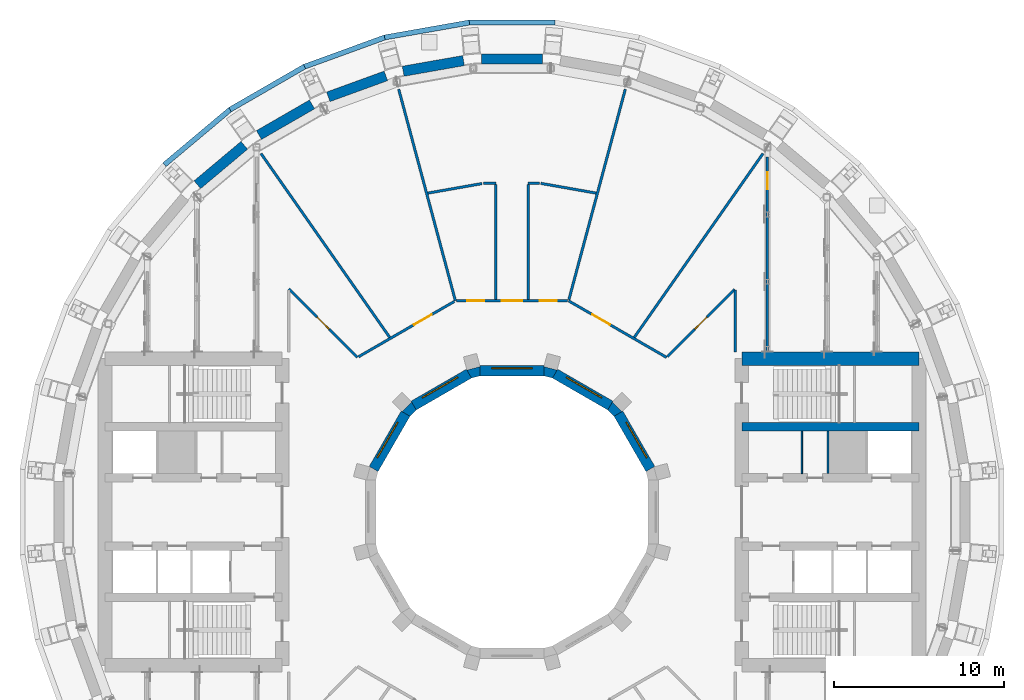
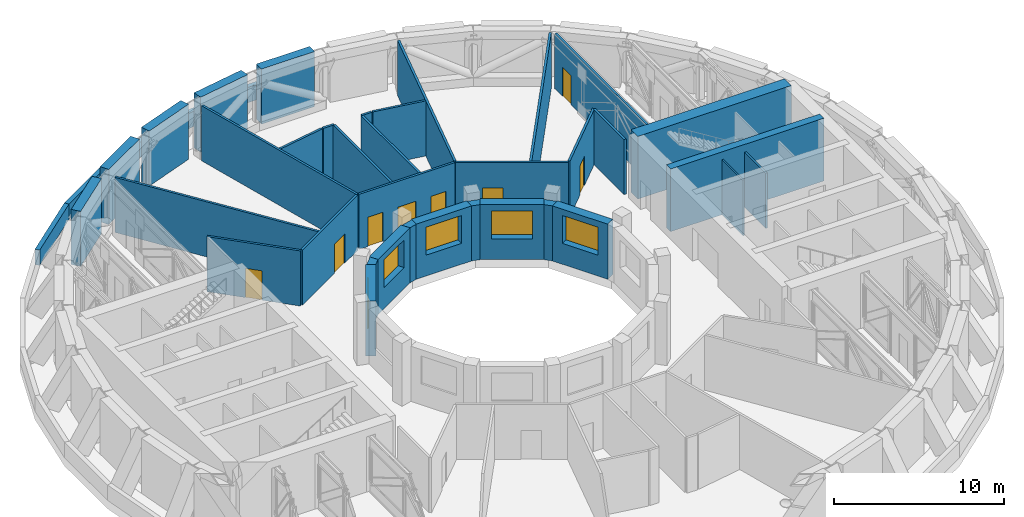
# One storey, part 12 of 19: 40 walls, 8 doors, 5 windows, 13 openings.
"""IFC4 building model written with IfcOpenShell, lengths in metres."""

from ifc_helpers import new_model, si_unit, direction, frame, frame_2d, origin, place, context, subcontext, project, spatial, polyline, rectangle, outline, extrude, material, layer, layer_set, type_object, element, fill, save


model = new_model("IFC4")

# Units and contexts
model_context = context("Model", 3, precision=1e-05, world=origin(), true_north=direction((0.0, 1.0)))
body_context = subcontext(model_context, "Body", "Model", "MODEL_VIEW")
ifc_project = project(units=[si_unit("LENGTHUNIT", "METRE"), si_unit("AREAUNIT", "SQUARE_METRE"), si_unit("VOLUMEUNIT", "CUBIC_METRE"), si_unit("PLANEANGLEUNIT", "RADIAN"), si_unit("MASSUNIT", "GRAM", prefix="KILO")], contexts=[model_context])

# Site, building, storey
site_placement = place(None, origin())
site = spatial("IfcSite", under=ifc_project, at=site_placement, CompositionType="ELEMENT")
building_placement = place(site_placement, origin())
building = spatial("IfcBuilding", under=site, at=building_placement, Name="Saqina Gate Tower", CompositionType="ELEMENT")
storey_placement = place(building_placement, frame((0.0, 0.0, 82.39990234375)))
storey = spatial("IfcBuildingStorey", under=building, at=storey_placement, Name="L23", CompositionType="ELEMENT", Elevation=82.39990234375)

# Walls
ifc_material_1 = material(Name="Gypsum board on steel studs", Category="steel")
ifc_layer_1 = layer(ifc_material_1, 0.10009765625)
ifc_layer_set_1 = layer_set([ifc_layer_1], Name="CORE PARTITION")
wall_type_1 = type_object("IfcWallType", Name="CORE PARTITION", PredefinedType="PARTITIONING", material=ifc_layer_set_1)
wall_1_placement = place(storey_placement, frame((17.022216796875, 2.25, 0.0), z_axis=(0.0, 0.0, 1.0), x_axis=(0.0, 1.0, 0.0)))
element("IfcWall", 1, at=wall_1_placement, inside=storey, type_object=wall_type_1, Name="L23-CP-E01", PredefinedType="PARTITIONING", context=body_context, shape_type="SweptSolid", body=[
    extrude(rectangle(XDim=2.5, YDim=0.10009765625, at=frame_2d((1.25, 0.0))), origin(), (0.0, 0.0, 1.0), 3.9501953125),
])
ifc_material_2 = material(Name="Brick masonry (buff)", Category="masonry")
ifc_layer_2 = layer(ifc_material_2, 0.60009765625)
ifc_layer_set_2 = layer_set([ifc_layer_2], Name="FW-BRICK-BUFF")
wall_type_2 = type_object("IfcWallType", Name="FW-BRICK-BUFF", PredefinedType="SOLIDWALL", material=ifc_layer_set_2)
for number, where, z_axis, x_axis, name in (
    (2, (1.798828125, 26.59716796875, 0.0), (0.0, 0.0, 1.0), (-1.0, 0.0, 0.0), "Facade wall L23 facet 9"),
    (3, (-2.84716796875, 26.505615234375, 0.0), (0.0, 0.0, 1.0), (-0.984806095124, -0.173657579756, 0.0), "Facade wall L23 facet 10"),
    (4, (-7.406494140625, 25.6083984375, 0.0), (0.0, 0.0, 1.0), (-0.939690348845, -0.342026385367, 0.0), "Facade wall L23 facet 11"),
    (5, (-11.74072265625, 23.933349609375, 0.0), (0.0, 0.0, 1.0), (-0.866029639064, -0.499992664208, 0.0), "Facade wall L23 facet 12"),
    (6, (-15.718505859375, 21.531005859375, 0.0), (0.0, 0.0, 1.0), (-0.766036310843, -0.642797301232, 0.0), "Facade wall L23 facet 13"),
):
    element("IfcWall", number, at=place(storey_placement, frame(where, z_axis=z_axis, x_axis=x_axis)), inside=storey, type_object=wall_type_2, Name=name, PredefinedType="SOLIDWALL", context=body_context, shape_type="SweptSolid", body=[
        extrude(rectangle(XDim=3.59765625, YDim=0.60009765625, at=frame_2d((1.798828125, 0.0))), origin(), (0.0, 0.0, 1.0), 3.9501953125),
    ])

# Wall, opening, window
ifc_material_3 = material(Name="Glazed ceramic tile", Category="ceramic")
ifc_layer_3 = layer(ifc_material_3, 0.60009765625)
ifc_layer_set_3 = layer_set([ifc_layer_3], Name="IW-TILE")
wall_type_3 = type_object("IfcWallType", Name="IW-TILE", PredefinedType="SOLIDWALL", material=ifc_layer_set_3)
wall_2_placement = place(storey_placement, frame((8.124755859375, 2.52734375, 0.0), z_axis=(0.0, 0.0, 1.0), x_axis=(-0.499964958637, 0.86604563398, 0.0)))
wall_2 = element("IfcWall", 7, at=wall_2_placement, inside=storey, type_object=wall_type_3, Name="Well wall L23 facet 1", PredefinedType="SOLIDWALL", context=body_context, shape_type="SweptSolid", body=[
    extrude(rectangle(XDim=3.747314453125, YDim=0.60009765625, at=frame_2d((1.87353515625, 0.0))), origin(), (0.0, 0.0, 1.0), 3.9501953125),
])
opening_1_placement = place(wall_2_placement, frame((0.673583984375, 0.0, 1.5)))
opening_1 = element("IfcOpeningElement", 8, at=opening_1_placement, cuts=wall_2, Name="Opening L23-W01", PredefinedType="OPENING", context=body_context, shape_type="SweptSolid", body=[
    extrude(rectangle(XDim=2.39990234375, YDim=2.0, at=frame_2d((1.199951171875, 1.0))), frame((0.0, 0.31201171875, 0.0), z_axis=(0.0, -1.0, 0.0), x_axis=(1.0, 0.0, 0.0)), (0.0, 0.0, 1.0), 0.6240234375),
])
ifc_material_4 = material(Name="Aluminium glazing", Category="aluminium")
window_type = type_object("IfcWindowType", Name="WN-P", PartitioningType="SINGLE_PANEL", PredefinedType="WINDOW", material=ifc_material_4)
window_1_placement = place(opening_1_placement, origin())
window_1 = element("IfcWindow", 9, at=window_1_placement, inside=storey, type_object=window_type, Name="Well window L23 facet 1", OverallHeight=2.0, OverallWidth=2.39990234375, PartitioningType="SINGLE_PANEL", PredefinedType="WINDOW", context=body_context, shape_type="SweptSolid", body=[
    extrude(rectangle(XDim=2.39990234375, YDim=2.0, at=frame_2d((1.199951171875, 1.0))), frame((0.0, -0.119873046875, 0.0), z_axis=(0.0, -1.0, 0.0), x_axis=(1.0, 0.0, 0.0)), (0.0, 0.0, 1.0), 0.06005859375),
])
fill(opening_1, window_1)

wall_3_placement = place(storey_placement, frame((5.772705078125, 6.251220703125, 0.0), z_axis=(0.0, 0.0, 1.0), x_axis=(-0.86604563398, 0.499964958637, 0.0)))
wall_3 = element("IfcWall", 10, at=wall_3_placement, inside=storey, type_object=wall_type_3, Name="Well wall L23 facet 2", PredefinedType="SOLIDWALL", context=body_context, shape_type="SweptSolid", body=[
    extrude(rectangle(XDim=3.747314453125, YDim=0.60009765625, at=frame_2d((1.87353515625, 0.0))), origin(), (0.0, 0.0, 1.0), 3.9501953125),
])
opening_2_placement = place(wall_3_placement, frame((0.673583984375, 0.0, 1.5)))
opening_2 = element("IfcOpeningElement", 11, at=opening_2_placement, cuts=wall_3, Name="Opening L23-W02", PredefinedType="OPENING", context=body_context, shape_type="SweptSolid", body=[
    extrude(rectangle(XDim=2.39990234375, YDim=2.0, at=frame_2d((1.199951171875, 1.0))), frame((0.0, 0.31201171875, 0.0), z_axis=(0.0, -1.0, 0.0), x_axis=(1.0, 0.0, 0.0)), (0.0, 0.0, 1.0), 0.6240234375),
])
window_2_placement = place(opening_2_placement, origin())
window_2 = element("IfcWindow", 12, at=window_2_placement, inside=storey, type_object=window_type, Name="Well window L23 facet 2", OverallHeight=2.0, OverallWidth=2.39990234375, PartitioningType="SINGLE_PANEL", PredefinedType="WINDOW", context=body_context, shape_type="SweptSolid", body=[
    extrude(rectangle(XDim=2.39990234375, YDim=2.0, at=frame_2d((1.199951171875, 1.0))), frame((0.0, -0.119873046875, 0.0), z_axis=(0.0, -1.0, 0.0), x_axis=(1.0, 0.0, 0.0)), (0.0, 0.0, 1.0), 0.06005859375),
])
fill(opening_2, window_2)

wall_4_placement = place(storey_placement, frame((1.873779296875, 8.300048828125, 0.0), z_axis=(0.0, 0.0, 1.0), x_axis=(-1.0, 0.0, 0.0)))
wall_4 = element("IfcWall", 13, at=wall_4_placement, inside=storey, type_object=wall_type_3, Name="Well wall L23 facet 3", PredefinedType="SOLIDWALL", context=body_context, shape_type="SweptSolid", body=[
    extrude(rectangle(XDim=3.74755859375, YDim=0.60009765625, at=frame_2d((1.873779296875, 0.0))), origin(), (0.0, 0.0, 1.0), 3.9501953125),
])
opening_3_placement = place(wall_4_placement, frame((0.673583984375, 0.0, 1.5)))
opening_3 = element("IfcOpeningElement", 14, at=opening_3_placement, cuts=wall_4, Name="Opening L23-W03", PredefinedType="OPENING", context=body_context, shape_type="SweptSolid", body=[
    extrude(rectangle(XDim=2.39990234375, YDim=2.0, at=frame_2d((1.199951171875, 1.0))), frame((0.0, 0.31201171875, 0.0), z_axis=(0.0, -1.0, 0.0), x_axis=(1.0, 0.0, 0.0)), (0.0, 0.0, 1.0), 0.6240234375),
])
window_3_placement = place(opening_3_placement, origin())
window_3 = element("IfcWindow", 15, at=window_3_placement, inside=storey, type_object=window_type, Name="Well window L23 facet 3", OverallHeight=2.0, OverallWidth=2.39990234375, PartitioningType="SINGLE_PANEL", PredefinedType="WINDOW", context=body_context, shape_type="SweptSolid", body=[
    extrude(rectangle(XDim=2.39990234375, YDim=2.0, at=frame_2d((1.199951171875, 1.0))), frame((0.0, -0.119873046875, 0.0), z_axis=(0.0, -1.0, 0.0), x_axis=(1.0, 0.0, 0.0)), (0.0, 0.0, 1.0), 0.06005859375),
])
fill(opening_3, window_3)

wall_5_placement = place(storey_placement, frame((-2.52734375, 8.124755859375, 0.0), z_axis=(0.0, 0.0, 1.0), x_axis=(-0.86604563398, -0.499964958637, 0.0)))
wall_5 = element("IfcWall", 16, at=wall_5_placement, inside=storey, type_object=wall_type_3, Name="Well wall L23 facet 4", PredefinedType="SOLIDWALL", context=body_context, shape_type="SweptSolid", body=[
    extrude(rectangle(XDim=3.747314453125, YDim=0.60009765625, at=frame_2d((1.87353515625, 0.0))), origin(), (0.0, 0.0, 1.0), 3.9501953125),
])
opening_4_placement = place(wall_5_placement, frame((0.673583984375, 0.0, 1.5)))
opening_4 = element("IfcOpeningElement", 17, at=opening_4_placement, cuts=wall_5, Name="Opening L23-W04", PredefinedType="OPENING", context=body_context, shape_type="SweptSolid", body=[
    extrude(rectangle(XDim=2.39990234375, YDim=2.0, at=frame_2d((1.199951171875, 1.0))), frame((0.0, 0.31201171875, 0.0), z_axis=(0.0, -1.0, 0.0), x_axis=(1.0, 0.0, 0.0)), (0.0, 0.0, 1.0), 0.6240234375),
])
window_4_placement = place(opening_4_placement, origin())
window_4 = element("IfcWindow", 18, at=window_4_placement, inside=storey, type_object=window_type, Name="Well window L23 facet 4", OverallHeight=2.0, OverallWidth=2.39990234375, PartitioningType="SINGLE_PANEL", PredefinedType="WINDOW", context=body_context, shape_type="SweptSolid", body=[
    extrude(rectangle(XDim=2.39990234375, YDim=2.0, at=frame_2d((1.199951171875, 1.0))), frame((0.0, -0.119873046875, 0.0), z_axis=(0.0, -1.0, 0.0), x_axis=(1.0, 0.0, 0.0)), (0.0, 0.0, 1.0), 0.06005859375),
])
fill(opening_4, window_4)

wall_6_placement = place(storey_placement, frame((-6.251220703125, 5.772705078125, 0.0), z_axis=(0.0, 0.0, 1.0), x_axis=(-0.499964958637, -0.86604563398, 0.0)))
wall_6 = element("IfcWall", 19, at=wall_6_placement, inside=storey, type_object=wall_type_3, Name="Well wall L23 facet 5", PredefinedType="SOLIDWALL", context=body_context, shape_type="SweptSolid", body=[
    extrude(rectangle(XDim=3.747314453125, YDim=0.60009765625, at=frame_2d((1.87353515625, 0.0))), origin(), (0.0, 0.0, 1.0), 3.9501953125),
])
opening_5_placement = place(wall_6_placement, frame((0.673583984375, 0.0, 1.5)))
opening_5 = element("IfcOpeningElement", 20, at=opening_5_placement, cuts=wall_6, Name="Opening L23-W05", PredefinedType="OPENING", context=body_context, shape_type="SweptSolid", body=[
    extrude(rectangle(XDim=2.39990234375, YDim=2.0, at=frame_2d((1.199951171875, 1.0))), frame((0.0, 0.31201171875, 0.0), z_axis=(0.0, -1.0, 0.0), x_axis=(1.0, 0.0, 0.0)), (0.0, 0.0, 1.0), 0.6240234375),
])
window_5_placement = place(opening_5_placement, origin())
window_5 = element("IfcWindow", 21, at=window_5_placement, inside=storey, type_object=window_type, Name="Well window L23 facet 5", OverallHeight=2.0, OverallWidth=2.39990234375, PartitioningType="SINGLE_PANEL", PredefinedType="WINDOW", context=body_context, shape_type="SweptSolid", body=[
    extrude(rectangle(XDim=2.39990234375, YDim=2.0, at=frame_2d((1.199951171875, 1.0))), frame((0.0, -0.119873046875, 0.0), z_axis=(0.0, -1.0, 0.0), x_axis=(1.0, 0.0, 0.0)), (0.0, 0.0, 1.0), 0.06005859375),
])
fill(opening_5, window_5)

# Walls
ifc_material_5 = material(Name="Brick masonry (buff)", Category="masonry")
ifc_layer_4 = layer(ifc_material_5, 0.300048828125)
ifc_layer_set_4 = layer_set([ifc_layer_4], Name="PA-ROOF")
wall_type_4 = type_object("IfcWallType", Name="PA-ROOF", PredefinedType="PARAPET", material=ifc_layer_set_4)
for number, where, z_axis, x_axis, name in (
    (22, (2.527587890625, 28.739501953125, 0.0), (0.0, 0.0, 1.0), (-1.0, 0.0, 0.0), "Parapet L23 edge 9"),
    (23, (-2.50146484375, 28.741943359375, 0.0), (0.0, 0.0, 1.0), (-0.984803486589, -0.173672372016, 0.0), "Parapet L23 edge 10"),
):
    element("IfcWall", number, at=place(storey_placement, frame(where, z_axis=z_axis, x_axis=x_axis)), inside=storey, type_object=wall_type_4, Name=name, PredefinedType="PARAPET", context=body_context, shape_type="SweptSolid", body=[
        extrude(rectangle(XDim=5.05517578125, YDim=0.300048828125, at=frame_2d((2.527587890625, 0.0))), origin(), (0.0, 0.0, 1.0), 1.10009765625),
    ])
for number, where, z_axis, x_axis, name in (
    (24, (-7.454345703125, 27.870849609375, 0.0), (0.0, 0.0, 1.0), (-0.939704554419, -0.341987354158, 0.0), "Parapet L23 edge 11"),
    (25, (-12.180908203125, 26.153076171875, 0.0), (0.0, 0.0, 1.0), (-0.866014270972, -0.500019282102, 0.0), "Parapet L23 edge 12"),
    (26, (-16.537353515625, 23.640380859375, 0.0), (0.0, 0.0, 1.0), (-0.766043474013, -0.64278876462, 0.0), "Parapet L23 edge 13"),
):
    element("IfcWall", number, at=place(storey_placement, frame(where, z_axis=z_axis, x_axis=x_axis)), inside=storey, type_object=wall_type_4, Name=name, PredefinedType="PARAPET", context=body_context, shape_type="SweptSolid", body=[
        extrude(rectangle(XDim=5.054931640625, YDim=0.300048828125, at=frame_2d((2.52734375, 0.0))), origin(), (0.0, 0.0, 1.0), 1.10009765625),
    ])
ifc_material_6 = material(Name="Autoclaved aerated concrete block", Category="concrete")
ifc_layer_5 = layer(ifc_material_6, 0.1201171875)
ifc_layer_set_5 = layer_set([ifc_layer_5], Name="SHAFT PARTITION")
wall_type_5 = type_object("IfcWallType", Name="SHAFT PARTITION", PredefinedType="PARTITIONING", material=ifc_layer_set_5)
wall_7_placement = place(storey_placement, frame((18.56005859375, 2.25, 0.0), z_axis=(0.0, 0.0, 1.0), x_axis=(0.0, 1.0, 0.0)))
element("IfcWall", 27, at=wall_7_placement, inside=storey, type_object=wall_type_5, Name="L23-CP-E02", PredefinedType="PARTITIONING", context=body_context, shape_type="SweptSolid", body=[
    extrude(rectangle(XDim=2.5, YDim=0.1201171875, at=frame_2d((1.25, 0.0))), origin(), (0.0, 0.0, 1.0), 3.9501953125),
])
ifc_material_7 = material(Name="Masonry block and plaster, 150 mm, fire rated", Category="masonry")
ifc_layer_6 = layer(ifc_material_7, 0.14990234375)
ifc_layer_set_6 = layer_set([ifc_layer_6], Name="SPECIAL PARTITION EI 60 150")
wall_type_6 = type_object("IfcWallType", Name="SPECIAL PARTITION EI 60 150", PredefinedType="PARTITIONING", material=ifc_layer_set_6)
wall_8_placement = place(storey_placement, frame((-6.652099609375, 24.823974609375, 0.0), z_axis=(0.0, 0.0, 1.0), x_axis=(0.258824952043, -0.96592424351, 0.0)))
element("IfcWall", 28, at=wall_8_placement, inside=storey, type_object=wall_type_6, Name="PARTITION 001", PredefinedType="PARTITIONING", context=body_context, shape_type="SweptSolid", body=[
    extrude(rectangle(XDim=12.8623046875, YDim=0.14990234375, at=frame_2d((6.43115234375, 0.0))), origin(), (0.0, 0.0, 1.0), 3.9501953125),
])
wall_9_placement = place(storey_placement, frame((-14.740966796875, 21.052001953125, 0.0), z_axis=(0.0, 0.0, 1.0), x_axis=(0.573601596314, -0.819134426518, 0.0)))
element("IfcWall", 29, at=wall_9_placement, inside=storey, type_object=wall_type_6, Name="PARTITION 003", PredefinedType="PARTITIONING", context=body_context, shape_type="SweptSolid", body=[
    extrude(rectangle(XDim=13.177734375, YDim=0.14990234375, at=frame_2d((6.5888671875, 0.0))), origin(), (0.0, 0.0, 1.0), 3.9501953125),
])

# Wall, opening, door
wall_10_placement = place(storey_placement, frame((-13.10009765625, 13.10009765625, 0.0), z_axis=(0.0, 0.0, 1.0), x_axis=(0.707106781187, -0.707106781187, 0.0)))
wall_10 = element("IfcWall", 30, at=wall_10_placement, inside=storey, type_object=wall_type_6, Name="PARTITION 005", PredefinedType="PARTITIONING", context=body_context, shape_type="SweptSolid", body=[
    extrude(rectangle(XDim=5.689697265625, YDim=0.14990234375, at=frame_2d((2.8447265625, 0.0))), origin(), (0.0, 0.0, 1.0), 3.9501953125),
])
opening_6_placement = place(wall_10_placement, frame((2.3447265625, 0.0, 0.0)))
opening_6 = element("IfcOpeningElement", 31, at=opening_6_placement, cuts=wall_10, Name="Opening L23-D10", PredefinedType="OPENING", context=body_context, shape_type="SweptSolid", body=[
    extrude(rectangle(XDim=1.0, YDim=2.10009765625, at=frame_2d((0.5, 1.050048828125))), frame((0.0, 0.0869140625, 0.0), z_axis=(0.0, -1.0, 0.0), x_axis=(1.0, 0.0, 0.0)), (0.0, 0.0, 1.0), 0.173828125),
])
ifc_material_8 = material(Name="Steel-framed fire door leaf, EI 60", Category="steel")
door_type_1 = type_object("IfcDoorType", Name="SPECIAL DOOR 1000 FIRE EI 60", OperationType="SINGLE_SWING_LEFT", PredefinedType="DOOR", material=ifc_material_8)
door_1_placement = place(opening_6_placement, origin())
door_1 = element("IfcDoor", 32, at=door_1_placement, inside=storey, type_object=door_type_1, Name="DOOR L23-D10", OperationType="SINGLE_SWING_RIGHT", OverallHeight=2.10009765625, OverallWidth=1.0, PredefinedType="DOOR", context=body_context, shape_type="SweptSolid", body=[
    extrude(rectangle(XDim=1.0, YDim=2.10009765625, at=frame_2d((0.5, 1.050048828125))), frame((0.0, 0.02490234375, 0.0), z_axis=(0.0, -1.0, 0.0), x_axis=(1.0, 0.0, 0.0)), (0.0, 0.0, 1.0), 0.050048828125),
])
fill(opening_6, door_1)

wall_11_placement = place(storey_placement, frame((3.322998046875, 12.39990234375, 0.0), z_axis=(0.0, 0.0, 1.0), x_axis=(0.865961614908, -0.500110469302, 0.0)))
wall_11 = element("IfcWall", 33, at=wall_11_placement, inside=storey, type_object=wall_type_6, Name="PARTITION 008", PredefinedType="PARTITIONING", context=body_context, shape_type="SweptSolid", body=[
    extrude(rectangle(XDim=6.64453125, YDim=0.14990234375, at=frame_2d((3.322265625, 0.0))), origin(), (0.0, 0.0, 1.0), 3.9501953125),
])
opening_7_placement = place(wall_11_placement, frame((1.603515625, 0.0, 0.0)))
opening_7 = element("IfcOpeningElement", 34, at=opening_7_placement, cuts=wall_11, Name="Opening L23-D04", PredefinedType="OPENING", context=body_context, shape_type="SweptSolid", body=[
    extrude(rectangle(XDim=1.199951171875, YDim=2.10009765625, at=frame_2d((0.60009765625, 1.050048828125))), frame((0.0, 0.0869140625, 0.0), z_axis=(0.0, -1.0, 0.0), x_axis=(1.0, 0.0, 0.0)), (0.0, 0.0, 1.0), 0.173828125),
])
ifc_material_9 = material(Name="Steel-framed fire door leaf, EI 60", Category="steel")
door_type_2 = type_object("IfcDoorType", Name="SPECIAL DOOR 1200 FIRE EI 60", OperationType="SINGLE_SWING_LEFT", PredefinedType="DOOR", material=ifc_material_9)
door_2_placement = place(opening_7_placement, frame((1.199951171875, 0.0, 0.0), z_axis=(0.0, 0.0, 1.0), x_axis=(-1.0, 0.0, 0.0)))
door_2 = element("IfcDoor", 35, at=door_2_placement, inside=storey, type_object=door_type_2, Name="DOOR L23-D04", OperationType="SINGLE_SWING_RIGHT", OverallHeight=2.10009765625, OverallWidth=1.199951171875, PredefinedType="DOOR", context=body_context, shape_type="SweptSolid", body=[
    extrude(rectangle(XDim=1.199951171875, YDim=2.10009765625, at=frame_2d((0.60009765625, 1.050048828125))), frame((0.0, 0.02490234375, 0.0), z_axis=(0.0, -1.0, 0.0), x_axis=(1.0, 0.0, 0.0)), (0.0, 0.0, 1.0), 0.050048828125),
])
fill(opening_7, door_2)

# Wall
wall_12_placement = place(storey_placement, frame((1.68798828125, 19.297119140625, 0.0), z_axis=(0.0, 0.0, 1.0), x_axis=(0.984831155043, -0.173515405817, 0.0)))
element("IfcWall", 36, at=wall_12_placement, inside=storey, type_object=wall_type_6, Name="PARTITION 010", PredefinedType="PARTITIONING", context=body_context, shape_type="SweptSolid", body=[
    extrude(rectangle(XDim=3.30224609375, YDim=0.14990234375, at=frame_2d((1.651123046875, 0.0))), origin(), (0.0, 0.0, 1.0), 3.9501953125),
])

# Wall, openings, doors
wall_13_placement = place(storey_placement, frame((-3.248046875, 12.39990234375, 0.0), z_axis=(0.0, 0.0, 1.0), x_axis=(1.0, 0.0, 0.0)))
wall_13 = element("IfcWall", 37, at=wall_13_placement, inside=storey, type_object=wall_type_6, Name="PARTITION 014", PredefinedType="PARTITIONING", context=body_context, shape_type="SweptSolid", body=[
    extrude(rectangle(XDim=6.49609375, YDim=0.14990234375, at=frame_2d((3.248046875, 0.0))), origin(), (0.0, 0.0, 1.0), 3.9501953125),
])
opening_8_placement = place(wall_13_placement, frame((4.884521484375, 0.0, 0.0)))
opening_8 = element("IfcOpeningElement", 38, at=opening_8_placement, cuts=wall_13, Name="Opening L23-D05", PredefinedType="OPENING", context=body_context, shape_type="SweptSolid", body=[
    extrude(rectangle(XDim=1.0, YDim=2.10009765625, at=frame_2d((0.5, 1.050048828125))), frame((0.0, 0.0869140625, 0.0), z_axis=(0.0, -1.0, 0.0), x_axis=(1.0, 0.0, 0.0)), (0.0, 0.0, 1.0), 0.173828125),
])
opening_9_placement = place(wall_13_placement, frame((2.64794921875, 0.0, 0.0)))
opening_9 = element("IfcOpeningElement", 39, at=opening_9_placement, cuts=wall_13, Name="Opening L23-D06", PredefinedType="OPENING", context=body_context, shape_type="SweptSolid", body=[
    extrude(rectangle(XDim=1.199951171875, YDim=2.10009765625, at=frame_2d((0.60009765625, 1.050048828125))), frame((0.0, 0.0869140625, 0.0), z_axis=(0.0, -1.0, 0.0), x_axis=(1.0, 0.0, 0.0)), (0.0, 0.0, 1.0), 0.173828125),
])
opening_10_placement = place(wall_13_placement, frame((0.611572265625, 0.0, 0.0)))
opening_10 = element("IfcOpeningElement", 40, at=opening_10_placement, cuts=wall_13, Name="Opening L23-D07", PredefinedType="OPENING", context=body_context, shape_type="SweptSolid", body=[
    extrude(rectangle(XDim=1.0, YDim=2.10009765625, at=frame_2d((0.5, 1.050048828125))), frame((0.0, 0.0869140625, 0.0), z_axis=(0.0, -1.0, 0.0), x_axis=(1.0, 0.0, 0.0)), (0.0, 0.0, 1.0), 0.173828125),
])
door_3_placement = place(opening_8_placement, origin())
door_3 = element("IfcDoor", 41, at=door_3_placement, inside=storey, type_object=door_type_1, Name="DOOR L23-D05", OperationType="SINGLE_SWING_RIGHT", OverallHeight=2.10009765625, OverallWidth=1.0, PredefinedType="DOOR", context=body_context, shape_type="SweptSolid", body=[
    extrude(rectangle(XDim=1.0, YDim=2.10009765625, at=frame_2d((0.5, 1.050048828125))), frame((0.0, 0.02490234375, 0.0), z_axis=(0.0, -1.0, 0.0), x_axis=(1.0, 0.0, 0.0)), (0.0, 0.0, 1.0), 0.050048828125),
])
fill(opening_8, door_3)
door_4_placement = place(opening_10_placement, origin())
door_4 = element("IfcDoor", 42, at=door_4_placement, inside=storey, type_object=door_type_1, Name="DOOR L23-D07", OperationType="SINGLE_SWING_LEFT", OverallHeight=2.10009765625, OverallWidth=1.0, PredefinedType="DOOR", context=body_context, shape_type="SweptSolid", body=[
    extrude(rectangle(XDim=1.0, YDim=2.10009765625, at=frame_2d((0.5, 1.050048828125))), frame((0.0, 0.02490234375, 0.0), z_axis=(0.0, -1.0, 0.0), x_axis=(1.0, 0.0, 0.0)), (0.0, 0.0, 1.0), 0.050048828125),
])
fill(opening_10, door_4)
door_5_placement = place(opening_9_placement, frame((1.199951171875, 0.0, 0.0), z_axis=(0.0, 0.0, 1.0), x_axis=(-1.0, 0.0, 0.0)))
door_5 = element("IfcDoor", 43, at=door_5_placement, inside=storey, type_object=door_type_2, Name="DOOR L23-D06", OperationType="SINGLE_SWING_RIGHT", OverallHeight=2.10009765625, OverallWidth=1.199951171875, PredefinedType="DOOR", context=body_context, shape_type="SweptSolid", body=[
    extrude(rectangle(XDim=1.199951171875, YDim=2.10009765625, at=frame_2d((0.60009765625, 1.050048828125))), frame((0.0, 0.02490234375, 0.0), z_axis=(0.0, -1.0, 0.0), x_axis=(1.0, 0.0, 0.0)), (0.0, 0.0, 1.0), 0.050048828125),
])
fill(opening_9, door_5)

# Walls
wall_14_placement = place(storey_placement, frame((-1.68798828125, 19.297119140625, 0.0), z_axis=(0.0, 0.0, 1.0), x_axis=(1.0, 0.0, 0.0)))
element("IfcWall", 44, at=wall_14_placement, inside=storey, type_object=wall_type_6, Name="PARTITION 015", PredefinedType="PARTITIONING", context=body_context, shape_type="SweptSolid", body=[
    extrude(rectangle(XDim=0.738037109375, YDim=0.14990234375, at=frame_2d((0.369140625, 0.0))), origin(), (0.0, 0.0, 1.0), 3.9501953125),
])
wall_15_placement = place(storey_placement, frame((0.949951171875, 19.297119140625, 0.0), z_axis=(0.0, 0.0, 1.0), x_axis=(1.0, 0.0, 0.0)))
element("IfcWall", 45, at=wall_15_placement, inside=storey, type_object=wall_type_6, Name="PARTITION 016", PredefinedType="PARTITIONING", context=body_context, shape_type="SweptSolid", body=[
    extrude(rectangle(XDim=0.6630859375, YDim=0.14990234375, at=frame_2d((0.33154296875, 0.0))), origin(), (0.0, 0.0, 1.0), 3.9501953125),
])
wall_16_placement = place(storey_placement, frame((-4.940185546875, 18.72412109375, 0.0), z_axis=(0.0, 0.0, 1.0), x_axis=(0.984839105105, 0.173470277155, 0.0)))
element("IfcWall", 46, at=wall_16_placement, inside=storey, type_object=wall_type_6, Name="PARTITION 018", PredefinedType="PARTITIONING", context=body_context, shape_type="SweptSolid", body=[
    extrude(rectangle(XDim=3.22705078125, YDim=0.14990234375, at=frame_2d((1.613525390625, 0.0))), origin(), (0.0, 0.0, 1.0), 3.9501953125),
])

# Wall, opening, door
wall_17_placement = place(storey_placement, frame((-9.01220703125, 9.114501953125, 0.0), z_axis=(0.0, 0.0, 1.0), x_axis=(0.865967095912, 0.5001009786, 0.0)))
wall_17 = element("IfcWall", 47, at=wall_17_placement, inside=storey, type_object=wall_type_6, Name="PARTITION 020", PredefinedType="PARTITIONING", context=body_context, shape_type="SweptSolid", body=[
    extrude(rectangle(XDim=6.494873046875, YDim=0.14990234375, at=frame_2d((3.24755859375, 0.0))), origin(), (0.0, 0.0, 1.0), 3.9501953125),
])
opening_11_placement = place(wall_17_placement, frame((3.76611328125, 0.0, 0.0)))
opening_11 = element("IfcOpeningElement", 48, at=opening_11_placement, cuts=wall_17, Name="Opening L23-D08", PredefinedType="OPENING", context=body_context, shape_type="SweptSolid", body=[
    extrude(rectangle(XDim=1.199951171875, YDim=2.10009765625, at=frame_2d((0.60009765625, 1.050048828125))), frame((0.0, 0.0869140625, 0.0), z_axis=(0.0, -1.0, 0.0), x_axis=(1.0, 0.0, 0.0)), (0.0, 0.0, 1.0), 0.173828125),
])
door_6_placement = place(opening_11_placement, frame((1.199951171875, 0.0, 0.0), z_axis=(0.0, 0.0, 1.0), x_axis=(-1.0, 0.0, 0.0)))
door_6 = element("IfcDoor", 49, at=door_6_placement, inside=storey, type_object=door_type_2, Name="DOOR L23-D08", OperationType="SINGLE_SWING_LEFT", OverallHeight=2.10009765625, OverallWidth=1.199951171875, PredefinedType="DOOR", context=body_context, shape_type="SweptSolid", body=[
    extrude(rectangle(XDim=1.199951171875, YDim=2.10009765625, at=frame_2d((0.60009765625, 1.050048828125))), frame((0.0, 0.02490234375, 0.0), z_axis=(0.0, -1.0, 0.0), x_axis=(1.0, 0.0, 0.0)), (0.0, 0.0, 1.0), 0.050048828125),
])
fill(opening_11, door_6)

wall_18_placement = place(storey_placement, frame((9.1298828125, 9.1298828125, 0.0), z_axis=(0.0, 0.0, 1.0), x_axis=(0.707106781187, 0.707106781187, 0.0)))
wall_18 = element("IfcWall", 50, at=wall_18_placement, inside=storey, type_object=wall_type_6, Name="PARTITION 022", PredefinedType="PARTITIONING", context=body_context, shape_type="SweptSolid", body=[
    extrude(rectangle(XDim=5.57470703125, YDim=0.14990234375, at=frame_2d((2.787353515625, 0.0))), origin(), (0.0, 0.0, 1.0), 3.9501953125),
])
opening_12_placement = place(wall_18_placement, frame((2.269775390625, 0.0, 0.0)))
opening_12 = element("IfcOpeningElement", 51, at=opening_12_placement, cuts=wall_18, Name="Opening L23-D02", PredefinedType="OPENING", context=body_context, shape_type="SweptSolid", body=[
    extrude(rectangle(XDim=1.0, YDim=2.10009765625, at=frame_2d((0.5, 1.050048828125))), frame((0.0, 0.0869140625, 0.0), z_axis=(0.0, -1.0, 0.0), x_axis=(1.0, 0.0, 0.0)), (0.0, 0.0, 1.0), 0.173828125),
])
door_7_placement = place(opening_12_placement, origin())
door_7 = element("IfcDoor", 52, at=door_7_placement, inside=storey, type_object=door_type_1, Name="DOOR L23-D02", OperationType="SINGLE_SWING_LEFT", OverallHeight=2.10009765625, OverallWidth=1.0, PredefinedType="DOOR", context=body_context, shape_type="SweptSolid", body=[
    extrude(rectangle(XDim=1.0, YDim=2.10009765625, at=frame_2d((0.5, 1.050048828125))), frame((0.0, 0.02490234375, 0.0), z_axis=(0.0, -1.0, 0.0), x_axis=(1.0, 0.0, 0.0)), (0.0, 0.0, 1.0), 0.050048828125),
])
fill(opening_12, door_7)

# Walls
wall_19_placement = place(storey_placement, frame((7.18212890625, 10.257568359375, 0.0), z_axis=(0.0, 0.0, 1.0), x_axis=(0.573601596314, 0.819134426518, 0.0)))
element("IfcWall", 53, at=wall_19_placement, inside=storey, type_object=wall_type_6, Name="PARTITION 024", PredefinedType="PARTITIONING", context=body_context, shape_type="SweptSolid", body=[
    extrude(rectangle(XDim=13.177734375, YDim=0.14990234375, at=frame_2d((6.5888671875, 0.0))), origin(), (0.0, 0.0, 1.0), 3.9501953125),
])
wall_20_placement = place(storey_placement, frame((3.34228515625, 12.472412109375, 0.0), z_axis=(0.0, 0.0, 1.0), x_axis=(0.258835334672, 0.965921461365, 0.0)))
element("IfcWall", 54, at=wall_20_placement, inside=storey, type_object=wall_type_6, Name="PARTITION 026", PredefinedType="PARTITIONING", context=body_context, shape_type="SweptSolid", body=[
    extrude(rectangle(XDim=12.787353515625, YDim=0.14990234375, at=frame_2d((6.3935546875, 0.0))), origin(), (0.0, 0.0, 1.0), 3.9501953125),
])

# Wall, opening, door
wall_21_placement = place(storey_placement, frame((14.9990234375, 9.39990234375, 0.0), z_axis=(0.0, 0.0, 1.0), x_axis=(0.0, 1.0, 0.0)))
wall_21 = element("IfcWall", 55, at=wall_21_placement, inside=storey, type_object=wall_type_6, Name="PARTITION 032", PredefinedType="PARTITIONING", context=body_context, shape_type="SweptSolid", body=[
    extrude(rectangle(XDim=11.43603515625, YDim=0.14990234375, at=frame_2d((5.718017578125, 0.0))), origin(), (0.0, 0.0, 1.0), 3.9501953125),
])
opening_13_placement = place(wall_21_placement, frame((9.54541015625, 0.0, 0.0)))
opening_13 = element("IfcOpeningElement", 56, at=opening_13_placement, cuts=wall_21, Name="Opening L23-D03", PredefinedType="OPENING", context=body_context, shape_type="SweptSolid", body=[
    extrude(rectangle(XDim=1.0, YDim=2.10009765625, at=frame_2d((0.5, 1.050048828125))), frame((0.0, 0.0869140625, 0.0), z_axis=(0.0, -1.0, 0.0), x_axis=(1.0, 0.0, 0.0)), (0.0, 0.0, 1.0), 0.173828125),
])
door_8_placement = place(opening_13_placement, origin())
door_8 = element("IfcDoor", 57, at=door_8_placement, inside=storey, type_object=door_type_1, Name="DOOR L23-D03", OperationType="SINGLE_SWING_RIGHT", OverallHeight=2.10009765625, OverallWidth=1.0, PredefinedType="DOOR", context=body_context, shape_type="SweptSolid", body=[
    extrude(rectangle(XDim=1.0, YDim=2.10009765625, at=frame_2d((0.5, 1.050048828125))), frame((0.0, 0.02490234375, 0.0), z_axis=(0.0, -1.0, 0.0), x_axis=(1.0, 0.0, 0.0)), (0.0, 0.0, 1.0), 0.050048828125),
])
fill(opening_13, door_8)

# Walls
wall_22_placement = place(storey_placement, frame((13.10009765625, 9.39990234375, 0.0), z_axis=(0.0, 0.0, 1.0), x_axis=(0.0, 1.0, 0.0)))
element("IfcWall", 58, at=wall_22_placement, inside=storey, type_object=wall_type_6, Name="PARTITION 034", PredefinedType="PARTITIONING", context=body_context, shape_type="SweptSolid", body=[
    extrude(rectangle(XDim=3.625, YDim=0.14990234375, at=frame_2d((1.8125, 0.0))), origin(), (0.0, 0.0, 1.0), 3.9501953125),
])
for number, where, z_axis, x_axis, name in (
    (59, (0.949951171875, 12.47509765625, 0.0), (0.0, 0.0, 1.0), (0.0, 1.0, 0.0), "PARTITION 036"),
    (60, (-0.949951171875, 12.47509765625, 0.0), (0.0, 0.0, 1.0), (0.0, 1.0, 0.0), "PARTITION 038"),
):
    element("IfcWall", number, at=place(storey_placement, frame(where, z_axis=z_axis, x_axis=x_axis)), inside=storey, type_object=wall_type_6, Name=name, PredefinedType="PARTITIONING", context=body_context, shape_type="SweptSolid", body=[
        extrude(rectangle(XDim=6.746826171875, YDim=0.14990234375, at=frame_2d((3.37353515625, 0.0))), origin(), (0.0, 0.0, 1.0), 3.9501953125),
    ])
ifc_material_10 = material(Name="Concrete C70/85", Category="concrete")
ifc_layer_7 = layer(ifc_material_10, 0.5)
ifc_layer_set_7 = layer_set([ifc_layer_7], Name="Concrete C70/85")
wall_type_7 = type_object("IfcWallType", Name="STR-CORE WALL-B-I", PredefinedType="SHEAR", material=ifc_layer_set_7)
wall_23_placement = place(storey_placement, frame((13.5, 5.0, 0.0), z_axis=(0.0, 0.0, 1.0), x_axis=(1.0, 0.0, 0.0)))
element("IfcWall", 61, at=wall_23_placement, inside=storey, type_object=wall_type_7, Name="CORE WALL L23 E-X1", PredefinedType="SHEAR", context=body_context, shape_type="SweptSolid", body=[
    extrude(rectangle(XDim=10.39990234375, YDim=0.5, at=frame_2d((5.199951171875, 0.0))), origin(), (0.0, 0.0, 1.0), 4.5),
])
ifc_material_11 = material(Name="Concrete C70/85", Category="concrete")
ifc_layer_8 = layer(ifc_material_11, 0.800048828125)
ifc_layer_set_8 = layer_set([ifc_layer_8], Name="Concrete C70/85")
wall_type_8 = type_object("IfcWallType", Name="STR-CORE WALL-B-O", PredefinedType="SHEAR", material=ifc_layer_set_8)
wall_24_placement = place(storey_placement, frame((13.5, 9.0, 0.0), z_axis=(0.0, 0.0, 1.0), x_axis=(1.0, 0.0, 0.0)))
element("IfcWall", 62, at=wall_24_placement, inside=storey, type_object=wall_type_8, Name="CORE WALL L23 E-NE", PredefinedType="SHEAR", context=body_context, shape_type="SweptSolid", body=[
    extrude(rectangle(XDim=10.39990234375, YDim=0.800048828125, at=frame_2d((5.199951171875, 0.0))), origin(), (0.0, 0.0, 1.0), 4.5),
])
ifc_material_12 = material(Name="Glazed ceramic tile", Category="ceramic")
wall_type_9 = type_object("IfcWallType", Name="TILE PIER COPING", PredefinedType="SOLIDWALL", material=ifc_material_12)
wall_25_placement = place(storey_placement, origin())
element("IfcWall", 63, at=wall_25_placement, inside=storey, type_object=wall_type_9, Name="Well pier cap L23 column 2", PredefinedType="SOLIDWALL", context=body_context, shape_type="SweptSolid", body=[
    extrude(outline(polyline([(5.891845703125, 6.45751953125), (5.622802734375, 5.991455078125), (5.991455078125, 5.622802734375), (6.45751953125, 5.891845703125), (5.891845703125, 6.45751953125)])), origin(), (0.0, 0.0, 1.0), 3.9501953125),
])
wall_26_placement = place(storey_placement, origin())
element("IfcWall", 64, at=wall_26_placement, inside=storey, type_object=wall_type_9, Name="Well pier cap L23 column 3", PredefinedType="SOLIDWALL", context=body_context, shape_type="SweptSolid", body=[
    extrude(outline(polyline([(1.873779296875, 8.5380859375), (1.873779296875, 8.0), (2.377197265625, 7.864990234375), (2.646484375, 8.3310546875), (1.873779296875, 8.5380859375)])), origin(), (0.0, 0.0, 1.0), 3.9501953125),
])
wall_27_placement = place(storey_placement, origin())
element("IfcWall", 65, at=wall_27_placement, inside=storey, type_object=wall_type_9, Name="Well pier cap L23 column 4", PredefinedType="SOLIDWALL", context=body_context, shape_type="SweptSolid", body=[
    extrude(outline(polyline([(-2.646484375, 8.3310546875), (-2.377197265625, 7.864990234375), (-1.873779296875, 8.0), (-1.873779296875, 8.5380859375), (-2.646484375, 8.3310546875)])), origin(), (0.0, 0.0, 1.0), 3.9501953125),
])
wall_28_placement = place(storey_placement, origin())
element("IfcWall", 66, at=wall_28_placement, inside=storey, type_object=wall_type_9, Name="Well pier cap L23 column 5", PredefinedType="SOLIDWALL", context=body_context, shape_type="SweptSolid", body=[
    extrude(outline(polyline([(-6.45751953125, 5.891845703125), (-5.991455078125, 5.622802734375), (-5.622802734375, 5.991455078125), (-5.891845703125, 6.45751953125), (-6.45751953125, 5.891845703125)])), origin(), (0.0, 0.0, 1.0), 3.9501953125),
])

save(model, "model.ifc")
